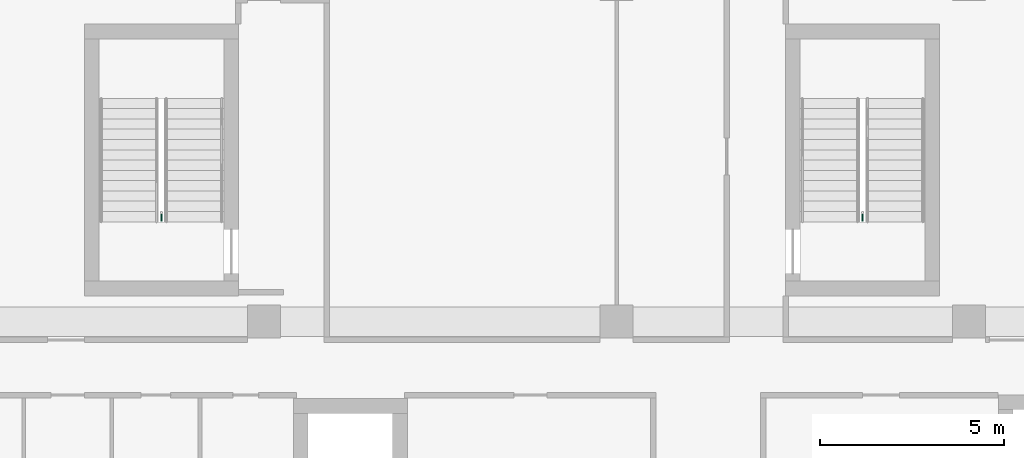
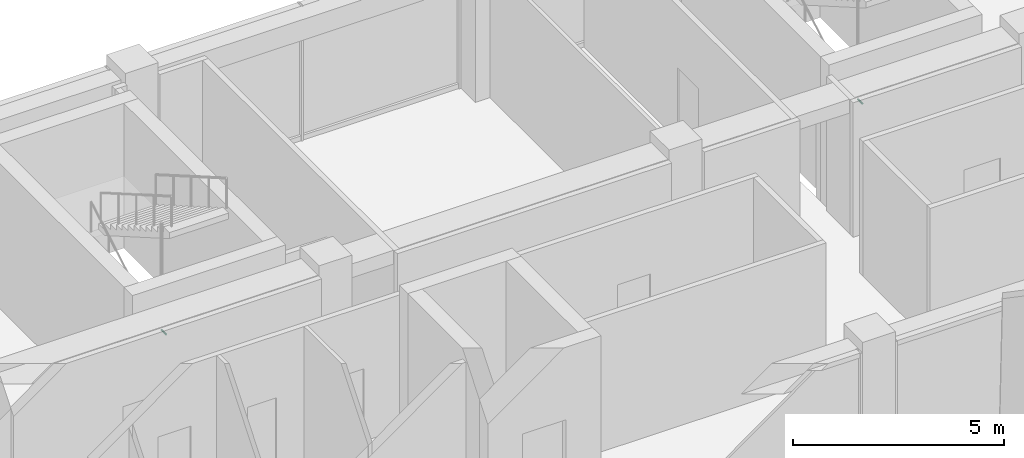
# One storey, part 38 of 38: 2 pipe fittings.
"""IFC4 building model written with IfcOpenShell, lengths in metres."""

from ifc_helpers import new_model, si_unit, direction, frame, origin, origin_2d, place, context, subcontext, project, spatial, circle, extrude, element, save


model = new_model("IFC4")

# Units and contexts
model_context = context("Model", 3, precision=1e-05, world=origin(), true_north=direction((0.0, 1.0)))
body_context = subcontext(model_context, "Body", "Model", "MODEL_VIEW")
ifc_project = project(units=[si_unit("LENGTHUNIT", "METRE"), si_unit("AREAUNIT", "SQUARE_METRE"), si_unit("VOLUMEUNIT", "CUBIC_METRE"), si_unit("PLANEANGLEUNIT", "RADIAN"), si_unit("MASSUNIT", "GRAM", prefix="KILO")], contexts=[model_context])

# Site, building, storey
site_placement = place(None, origin())
site = spatial("IfcSite", under=ifc_project, at=site_placement, CompositionType="ELEMENT")
building_placement = place(site_placement, origin())
building = spatial("IfcBuilding", under=site, at=building_placement, Name="Nzadi Deep Aquarium and Research Tower", CompositionType="ELEMENT")
storey_placement = place(building_placement, frame((0.0, 0.0, 48.699951171875)))
storey = spatial("IfcBuildingStorey", under=building, at=storey_placement, Name="L09", CompositionType="ELEMENT", Elevation=48.699951171875)

# Pipe fittings
for number, where, z_axis, x_axis, name in (
    (1, (6.800048828125, 39.77001953125, 1.10009765625), (0.0, -1.0, 0.0), (1.0, 0.0, 0.0), "Dry riser outlet ST-Z1-NW L09"),
    (2, (25.89990234375, 39.77001953125, 1.10009765625), (0.0, -1.0, 0.0), (1.0, 0.0, 0.0), "Dry riser outlet ST-Z1-NE L09"),
):
    element("IfcPipeFitting", number, at=place(storey_placement, frame(where, z_axis=z_axis, x_axis=x_axis)), inside=storey, Name=name, PredefinedType="EXIT", context=body_context, shape_type="SweptSolid", body=[
        extrude(circle(Radius=0.0224609375, at=origin_2d()), origin(), (0.0, 0.0, 1.0), 0.22998046875),
    ])

save(model, "model.ifc")
